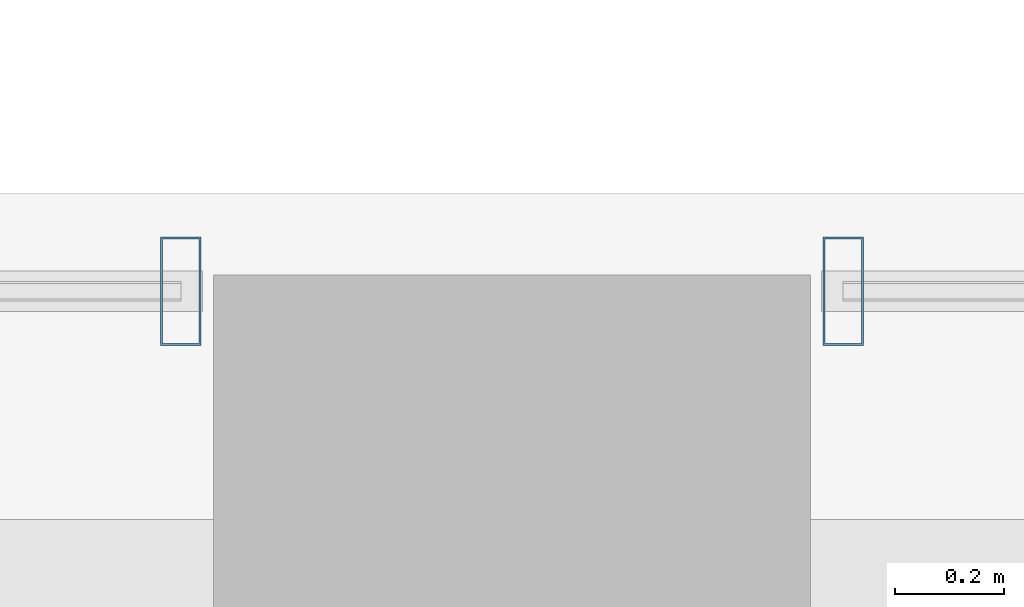
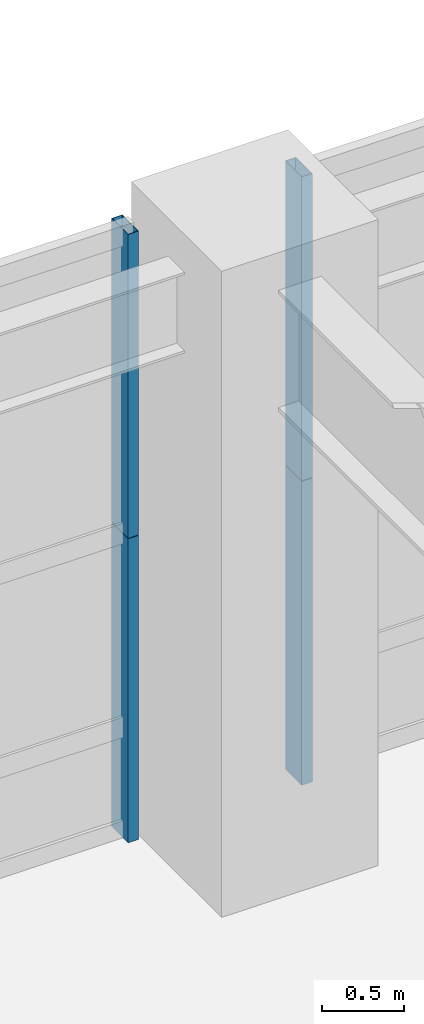
# One storey, part 21 of 37: 4 members, 2 elements without a shape of their own.
"""IFC4 building model written with IfcOpenShell, lengths in metres."""

from ifc_helpers import new_model, si_unit, direction, frame, origin, origin_2d, place, context, subcontext, project, spatial, hollow_rectangle, extrude, source, transform, mapped, material, layer, layer_set, material_profile, profile_set, type_object, element, aggregate, save


model = new_model("IFC4")

# Units and contexts
model_context = context("Model", 3, precision=1e-05, world=origin(), true_north=direction((0.0, 1.0)))
body_context = subcontext(model_context, "Body", "Model", "MODEL_VIEW")
ifc_project = project(units=[si_unit("LENGTHUNIT", "METRE"), si_unit("AREAUNIT", "SQUARE_METRE"), si_unit("VOLUMEUNIT", "CUBIC_METRE"), si_unit("PLANEANGLEUNIT", "RADIAN"), si_unit("MASSUNIT", "GRAM", prefix="KILO"), si_unit("THERMODYNAMICTEMPERATUREUNIT", "KELVIN"), si_unit("POWERUNIT", "WATT")], contexts=[model_context])

# Site, building, storey
site_placement = place(None, origin())
site = spatial("IfcSite", under=ifc_project, at=site_placement, CompositionType="ELEMENT")
building_placement = place(site_placement, origin())
building = spatial("IfcBuilding", under=site, at=building_placement, Name="Yuzanri Waterfront Tower", CompositionType="ELEMENT")
storey_placement = place(building_placement, frame((0.0, 0.0, 5.39990234375)))
storey = spatial("IfcBuildingStorey", under=building, at=storey_placement, Name="L02", CompositionType="ELEMENT", Elevation=5.39990234375)

# Curtain wall, member
ifc_material_1 = material(Name="Anodized Architectural Bronze", Category="metal")
ifc_layer = layer(ifc_material_1, 0.159912109375)
ifc_layer_set = layer_set([ifc_layer], Name="Anodized Architectural Bronze")
curtain_wall_type = type_object("IfcCurtainWallType", Name="Anodized Bronze Podium Waterfront Double-Height Unitized Curtain Wall 8400", PredefinedType="NOTDEFINED", material=ifc_layer_set)
curtain_wall_1_placement = place(storey_placement, origin())
curtain_wall_1 = element("IfcCurtainWall", 1, at=curtain_wall_1_placement, inside=storey, type_object=curtain_wall_type, Name="L02 Curtain Wall CW-L02-N1", PredefinedType="NOTDEFINED")
ifc_material_2 = material(Name="Anodized Architectural Bronze", Category="metal")
ifc_material_profile = material_profile(ifc_material_2, hollow_rectangle(XDim=0.074951171875, YDim=0.199951171875, WallThickness=0.00390625, at=origin_2d()), Name="CWM 75x200")
ifc_profile_set = profile_set([ifc_material_profile], Name="Anodized Architectural Bronze")
member_type = type_object("IfcMemberType", Name="Anodized Bronze Primary Curtain-Wall Mullion 75x200", PredefinedType="MULLION", material=ifc_profile_set)
shared_shape_1 = source(origin(), body_context, "Body", "SweptSolid", [
    extrude(hollow_rectangle(XDim=0.074951171875, YDim=0.199951171875, WallThickness=0.00390625, at=origin_2d()), origin(), (0.0, 0.0, 1.0), 2.258056640625),
])
member_1_placement = place(storey_placement, frame((36.389892578125, 49.6201171875, 0.0), z_axis=(0.0, 0.0, 1.0), x_axis=(1.0, 0.0, 0.0)))
member_1 = element("IfcMember", 2, at=member_1_placement, type_object=member_type, Name="CW-L02-N1 Lower Mullion 02", PredefinedType="MULLION", context=body_context, shape_type="MappedRepresentation", body=[
    mapped(shared_shape_1, transform((0.0, 0.0, 0.0), scale=1.0)),
])

curtain_wall_2_placement = place(storey_placement, origin())
curtain_wall_2 = element("IfcCurtainWall", 3, at=curtain_wall_2_placement, inside=storey, type_object=curtain_wall_type, Name="L02 Curtain Wall CW-L02-N2", PredefinedType="NOTDEFINED")
member_2_placement = place(storey_placement, frame((37.610107421875, 49.6201171875, 0.0), z_axis=(0.0, 0.0, 1.0), x_axis=(1.0, 0.0, 0.0)))
member_2 = element("IfcMember", 4, at=member_2_placement, type_object=member_type, Name="CW-L02-N2 Lower Mullion 00", PredefinedType="MULLION", context=body_context, shape_type="MappedRepresentation", body=[
    mapped(shared_shape_1, transform((0.0, 0.0, 0.0), scale=1.0)),
])

# Member
shared_shape_2 = source(origin(), body_context, "Body", "SweptSolid", [
    extrude(hollow_rectangle(XDim=0.074951171875, YDim=0.199951171875, WallThickness=0.00390625, at=origin_2d()), origin(), (0.0, 0.0, 1.0), 2.2578125),
])
member_3_placement = place(storey_placement, frame((36.389892578125, 49.6201171875, 2.26220703125), z_axis=(0.0, 0.0, 1.0), x_axis=(1.0, 0.0, 0.0)))
member_3 = element("IfcMember", 5, at=member_3_placement, type_object=member_type, Name="CW-L02-N1 Upper Mullion 02", PredefinedType="MULLION", context=body_context, shape_type="MappedRepresentation", body=[
    mapped(shared_shape_2, transform((0.0, 0.0, 0.0), scale=1.0)),
])

aggregate(curtain_wall_1, [member_1, member_3])

member_4_placement = place(storey_placement, frame((37.610107421875, 49.6201171875, 2.26220703125), z_axis=(0.0, 0.0, 1.0), x_axis=(1.0, 0.0, 0.0)))
member_4 = element("IfcMember", 6, at=member_4_placement, type_object=member_type, Name="CW-L02-N2 Upper Mullion 00", PredefinedType="MULLION", context=body_context, shape_type="MappedRepresentation", body=[
    mapped(shared_shape_2, transform((0.0, 0.0, 0.0), scale=1.0)),
])

aggregate(curtain_wall_2, [member_2, member_4])

save(model, "model.ifc")
